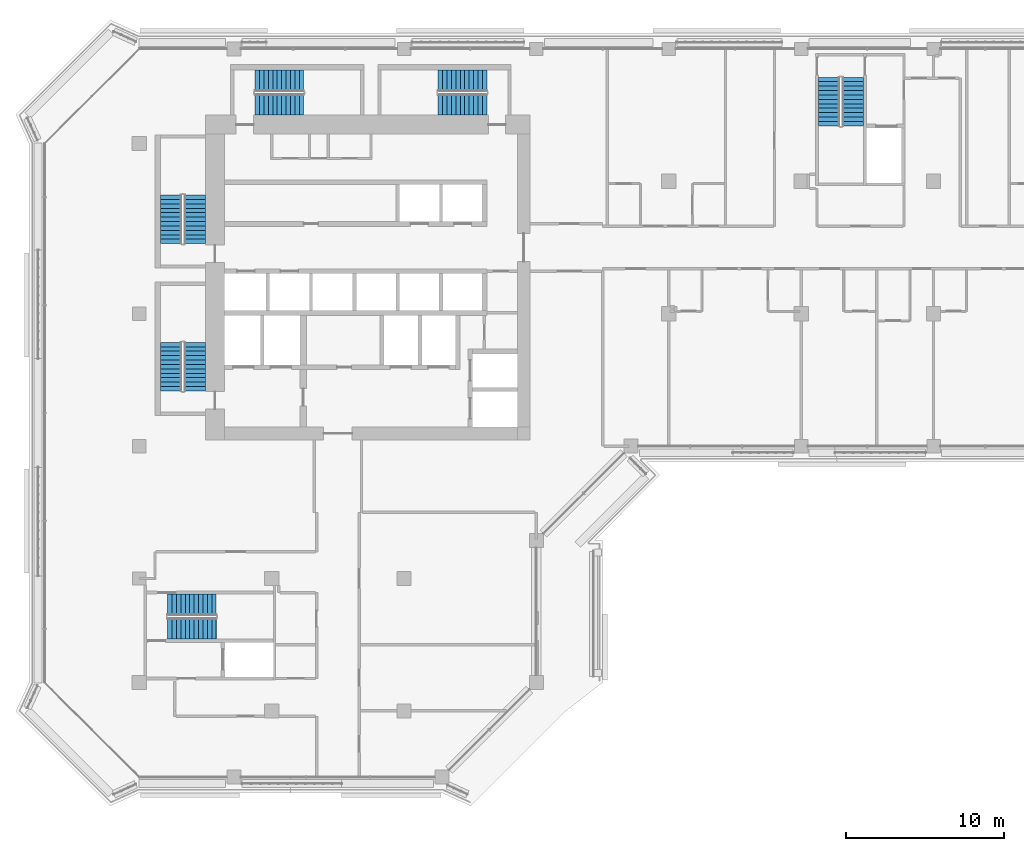
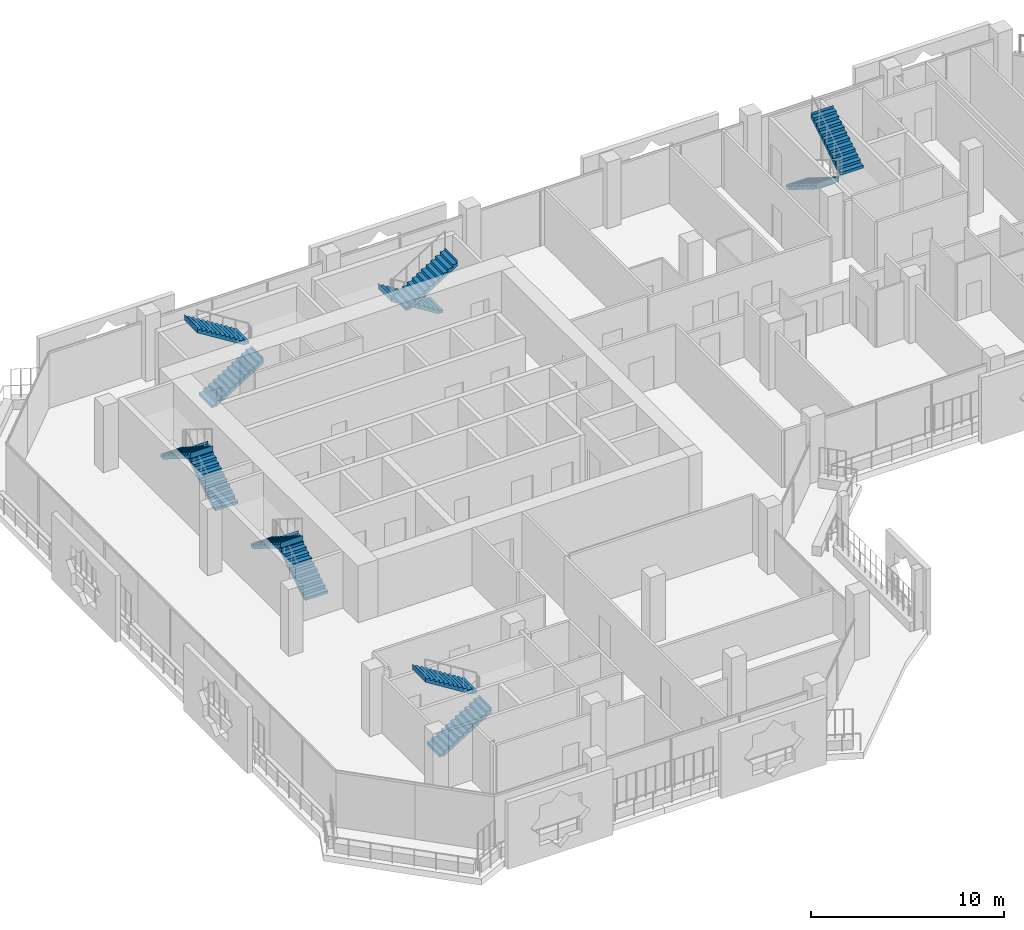
# One storey, part 15 of 23: 12 stair flights, 6 elements without a shape of their own.
"""IFC4 building model written with IfcOpenShell, lengths in metres."""

from ifc_helpers import new_model, si_unit, direction, frame, origin, place, context, subcontext, project, spatial, polyline, outline, extrude, material, type_object, element, aggregate, save


model = new_model("IFC4")

# Units and contexts
model_context = context("Model", 3, precision=1e-05, world=origin(), true_north=direction((0.0, 1.0)))
body_context = subcontext(model_context, "Body", "Model", "MODEL_VIEW")
ifc_project = project(units=[si_unit("LENGTHUNIT", "METRE"), si_unit("AREAUNIT", "SQUARE_METRE"), si_unit("VOLUMEUNIT", "CUBIC_METRE"), si_unit("PLANEANGLEUNIT", "RADIAN"), si_unit("MASSUNIT", "GRAM", prefix="KILO")], contexts=[model_context])

# Site, building, storey
site_placement = place(None, origin())
site = spatial("IfcSite", under=ifc_project, at=site_placement, CompositionType="ELEMENT")
building_placement = place(site_placement, origin())
building = spatial("IfcBuilding", under=site, at=building_placement, Name="Kawkab Arch Medical Tower", CompositionType="ELEMENT")
storey_placement = place(building_placement, frame((0.0, 0.0, 247.39990234375)))
storey = spatial("IfcBuildingStorey", under=building, at=storey_placement, Name="L57", CompositionType="ELEMENT", Elevation=247.39990234375)

# Stair, stair flights
ifc_material_1 = material(Name="Concrete C40/50", Category="concrete")
stair_type = type_object("IfcStairType", Name="Exit stair 1350", PredefinedType="HALF_TURN_STAIR", material=ifc_material_1)
placement = place(storey_placement, origin())
stair_1 = element("IfcStair", 1, at=placement, inside=storey, type_object=stair_type, Name="L57 Exit stair ST1", PredefinedType="HALF_TURN_STAIR")
ifc_material_2 = material(Name="Concrete C40/50", Category="concrete")
stair_flight_type = type_object("IfcStairFlightType", Name="Exit stair flight 1350", PredefinedType="STRAIGHT", material=ifc_material_2)
stair_flight_1_placement = place(storey_placement, frame((3.52490234375, -12.35009765625, 0.0), z_axis=(0.0, 0.0, 1.0), x_axis=(0.0, 1.0, 0.0)))
stair_flight_1 = element("IfcStairFlight", 2, at=stair_flight_1_placement, type_object=stair_flight_type, Name="ST1 flight 1", NumberOfRisers=12, NumberOfTreads=11, PredefinedType="STRAIGHT", RiserHeight=0.175, TreadLength=0.28, context=body_context, shape_type="SweptSolid", body=[
    extrude(outline(polyline([(-0.0029296875, 0.0), (-0.0029296875, 0.175048828125), (0.0, 0.175048828125), (0.280029296875, 0.175048828125), (0.280029296875, 0.35009765625), (0.56005859375, 0.35009765625), (0.56005859375, 0.52490234375), (0.840087890625, 0.52490234375), (0.840087890625, 0.699951171875), (1.1201171875, 0.699951171875), (1.1201171875, 0.875), (1.39990234375, 0.875), (1.39990234375, 1.050048828125), (1.679931640625, 1.050048828125), (1.679931640625, 1.22509765625), (1.9599609375, 1.22509765625), (1.9599609375, 1.39990234375), (2.239990234375, 1.39990234375), (2.239990234375, 1.574951171875), (2.52001953125, 1.574951171875), (2.52001953125, 1.75), (2.800048828125, 1.75), (2.800048828125, 1.925048828125), (3.080078125, 1.925048828125), (3.080078125, 2.10009765625), (3.0830078125, 2.10009765625), (3.0830078125, 1.748291015625), (3.080078125, 1.748291015625), (0.28271484375, 0.0), (-0.0029296875, 0.0)])), frame((0.0, 0.675048828125, 0.0), z_axis=(0.0, -1.0, 0.0), x_axis=(1.0, 0.0, 0.0)), (0.0, 0.0, 1.0), 1.35009765625),
])
stair_flight_2_placement = place(storey_placement, frame((2.02490234375, -9.27001953125, 2.10009765625), z_axis=(0.0, 0.0, 1.0), x_axis=(0.0, -1.0, 0.0)))
stair_flight_2 = element("IfcStairFlight", 3, at=stair_flight_2_placement, type_object=stair_flight_type, Name="ST1 flight 2", NumberOfRisers=12, NumberOfTreads=11, PredefinedType="STRAIGHT", RiserHeight=0.175, TreadLength=0.28, context=body_context, shape_type="SweptSolid", body=[
    extrude(outline(polyline([(-0.0029296875, 0.0), (-0.0029296875, 0.175048828125), (0.0, 0.175048828125), (0.280029296875, 0.175048828125), (0.280029296875, 0.35009765625), (0.56005859375, 0.35009765625), (0.56005859375, 0.52490234375), (0.840087890625, 0.52490234375), (0.840087890625, 0.699951171875), (1.1201171875, 0.699951171875), (1.1201171875, 0.875), (1.39990234375, 0.875), (1.39990234375, 1.050048828125), (1.679931640625, 1.050048828125), (1.679931640625, 1.22509765625), (1.9599609375, 1.22509765625), (1.9599609375, 1.39990234375), (2.239990234375, 1.39990234375), (2.239990234375, 1.574951171875), (2.52001953125, 1.574951171875), (2.52001953125, 1.75), (2.800048828125, 1.75), (2.800048828125, 1.925048828125), (3.080078125, 1.925048828125), (3.080078125, 2.10009765625), (3.0830078125, 2.10009765625), (3.0830078125, 1.748291015625), (3.080078125, 1.748291015625), (0.28271484375, 0.0), (-0.0029296875, 0.0)])), frame((0.0, 0.675048828125, 0.0), z_axis=(0.0, -1.0, 0.0), x_axis=(1.0, 0.0, 0.0)), (0.0, 0.0, 1.0), 1.35009765625),
])
aggregate(stair_1, [stair_flight_1, stair_flight_2])

stair_2 = element("IfcStair", 4, at=placement, inside=storey, type_object=stair_type, Name="L57 Exit stair ST2", PredefinedType="HALF_TURN_STAIR")
stair_flight_3_placement = place(storey_placement, frame((3.52490234375, -21.699951171875, 0.0), z_axis=(0.0, 0.0, 1.0), x_axis=(0.0, 1.0, 0.0)))
stair_flight_3 = element("IfcStairFlight", 5, at=stair_flight_3_placement, type_object=stair_flight_type, Name="ST2 flight 1", NumberOfRisers=12, NumberOfTreads=11, PredefinedType="STRAIGHT", RiserHeight=0.175, TreadLength=0.28, context=body_context, shape_type="SweptSolid", body=[
    extrude(outline(polyline([(-0.0029296875, 0.0), (-0.0029296875, 0.175048828125), (0.0, 0.175048828125), (0.280029296875, 0.175048828125), (0.280029296875, 0.35009765625), (0.56005859375, 0.35009765625), (0.56005859375, 0.52490234375), (0.840087890625, 0.52490234375), (0.840087890625, 0.699951171875), (1.1201171875, 0.699951171875), (1.1201171875, 0.875), (1.39990234375, 0.875), (1.39990234375, 1.050048828125), (1.679931640625, 1.050048828125), (1.679931640625, 1.22509765625), (1.9599609375, 1.22509765625), (1.9599609375, 1.39990234375), (2.239990234375, 1.39990234375), (2.239990234375, 1.574951171875), (2.52001953125, 1.574951171875), (2.52001953125, 1.75), (2.800048828125, 1.75), (2.800048828125, 1.925048828125), (3.080078125, 1.925048828125), (3.080078125, 2.10009765625), (3.0830078125, 2.10009765625), (3.0830078125, 1.748291015625), (3.080078125, 1.748291015625), (0.28271484375, 0.0), (-0.0029296875, 0.0)])), frame((0.0, 0.675048828125, 0.0), z_axis=(0.0, -1.0, 0.0), x_axis=(1.0, 0.0, 0.0)), (0.0, 0.0, 1.0), 1.35009765625),
])
stair_flight_4_placement = place(storey_placement, frame((2.02490234375, -18.6201171875, 2.10009765625), z_axis=(0.0, 0.0, 1.0), x_axis=(0.0, -1.0, 0.0)))
stair_flight_4 = element("IfcStairFlight", 6, at=stair_flight_4_placement, type_object=stair_flight_type, Name="ST2 flight 2", NumberOfRisers=12, NumberOfTreads=11, PredefinedType="STRAIGHT", RiserHeight=0.175, TreadLength=0.28, context=body_context, shape_type="SweptSolid", body=[
    extrude(outline(polyline([(-0.0029296875, 0.0), (-0.0029296875, 0.175048828125), (0.0, 0.175048828125), (0.280029296875, 0.175048828125), (0.280029296875, 0.35009765625), (0.56005859375, 0.35009765625), (0.56005859375, 0.52490234375), (0.840087890625, 0.52490234375), (0.840087890625, 0.699951171875), (1.1201171875, 0.699951171875), (1.1201171875, 0.875), (1.39990234375, 0.875), (1.39990234375, 1.050048828125), (1.679931640625, 1.050048828125), (1.679931640625, 1.22509765625), (1.9599609375, 1.22509765625), (1.9599609375, 1.39990234375), (2.239990234375, 1.39990234375), (2.239990234375, 1.574951171875), (2.52001953125, 1.574951171875), (2.52001953125, 1.75), (2.800048828125, 1.75), (2.800048828125, 1.925048828125), (3.080078125, 1.925048828125), (3.080078125, 2.10009765625), (3.0830078125, 2.10009765625), (3.0830078125, 1.748291015625), (3.080078125, 1.748291015625), (0.28271484375, 0.0), (-0.0029296875, 0.0)])), frame((0.0, 0.675048828125, 0.0), z_axis=(0.0, -1.0, 0.0), x_axis=(1.0, 0.0, 0.0)), (0.0, 0.0, 1.0), 1.35009765625),
])
aggregate(stair_2, [stair_flight_3, stair_flight_4])

stair_3 = element("IfcStair", 7, at=placement, inside=storey, type_object=stair_type, Name="L57 Exit stair ST3", PredefinedType="HALF_TURN_STAIR")
stair_flight_5_placement = place(storey_placement, frame((7.35009765625, -3.52490234375, 0.0), z_axis=(0.0, 0.0, 1.0), x_axis=(1.0, 0.0, 0.0)))
stair_flight_5 = element("IfcStairFlight", 8, at=stair_flight_5_placement, type_object=stair_flight_type, Name="ST3 flight 1", NumberOfRisers=12, NumberOfTreads=11, PredefinedType="STRAIGHT", RiserHeight=0.175, TreadLength=0.28, context=body_context, shape_type="SweptSolid", body=[
    extrude(outline(polyline([(-0.0029296875, 0.0), (-0.0029296875, 0.175048828125), (0.0, 0.175048828125), (0.280029296875, 0.175048828125), (0.280029296875, 0.35009765625), (0.56005859375, 0.35009765625), (0.56005859375, 0.52490234375), (0.840087890625, 0.52490234375), (0.840087890625, 0.699951171875), (1.1201171875, 0.699951171875), (1.1201171875, 0.875), (1.39990234375, 0.875), (1.39990234375, 1.050048828125), (1.679931640625, 1.050048828125), (1.679931640625, 1.22509765625), (1.9599609375, 1.22509765625), (1.9599609375, 1.39990234375), (2.239990234375, 1.39990234375), (2.239990234375, 1.574951171875), (2.52001953125, 1.574951171875), (2.52001953125, 1.75), (2.800048828125, 1.75), (2.800048828125, 1.925048828125), (3.080078125, 1.925048828125), (3.080078125, 2.10009765625), (3.0830078125, 2.10009765625), (3.0830078125, 1.748291015625), (3.080078125, 1.748291015625), (0.28271484375, 0.0), (-0.0029296875, 0.0)])), frame((0.0, 0.675048828125, 0.0), z_axis=(0.0, -1.0, 0.0), x_axis=(1.0, 0.0, 0.0)), (0.0, 0.0, 1.0), 1.35009765625),
])
stair_flight_6_placement = place(storey_placement, frame((10.429931640625, -2.02490234375, 2.10009765625), z_axis=(0.0, 0.0, 1.0), x_axis=(-1.0, 0.0, 0.0)))
stair_flight_6 = element("IfcStairFlight", 9, at=stair_flight_6_placement, type_object=stair_flight_type, Name="ST3 flight 2", NumberOfRisers=12, NumberOfTreads=11, PredefinedType="STRAIGHT", RiserHeight=0.175, TreadLength=0.28, context=body_context, shape_type="SweptSolid", body=[
    extrude(outline(polyline([(-0.0029296875, 0.0), (-0.0029296875, 0.175048828125), (0.0, 0.175048828125), (0.280029296875, 0.175048828125), (0.280029296875, 0.35009765625), (0.56005859375, 0.35009765625), (0.56005859375, 0.52490234375), (0.840087890625, 0.52490234375), (0.840087890625, 0.699951171875), (1.1201171875, 0.699951171875), (1.1201171875, 0.875), (1.39990234375, 0.875), (1.39990234375, 1.050048828125), (1.679931640625, 1.050048828125), (1.679931640625, 1.22509765625), (1.9599609375, 1.22509765625), (1.9599609375, 1.39990234375), (2.239990234375, 1.39990234375), (2.239990234375, 1.574951171875), (2.52001953125, 1.574951171875), (2.52001953125, 1.75), (2.800048828125, 1.75), (2.800048828125, 1.925048828125), (3.080078125, 1.925048828125), (3.080078125, 2.10009765625), (3.0830078125, 2.10009765625), (3.0830078125, 1.748291015625), (3.080078125, 1.748291015625), (0.28271484375, 0.0), (-0.0029296875, 0.0)])), frame((0.0, 0.675048828125, 0.0), z_axis=(0.0, -1.0, 0.0), x_axis=(1.0, 0.0, 0.0)), (0.0, 0.0, 1.0), 1.35009765625),
])
aggregate(stair_3, [stair_flight_5, stair_flight_6])

stair_4 = element("IfcStair", 10, at=placement, inside=storey, type_object=stair_type, Name="L57 Exit stair ST4", PredefinedType="HALF_TURN_STAIR")
stair_flight_7_placement = place(storey_placement, frame((22.050048828125, -2.02490234375, 0.0), z_axis=(0.0, 0.0, 1.0), x_axis=(-1.0, 0.0, 0.0)))
stair_flight_7 = element("IfcStairFlight", 11, at=stair_flight_7_placement, type_object=stair_flight_type, Name="ST4 flight 1", NumberOfRisers=12, NumberOfTreads=11, PredefinedType="STRAIGHT", RiserHeight=0.175, TreadLength=0.28, context=body_context, shape_type="SweptSolid", body=[
    extrude(outline(polyline([(-0.0029296875, 0.0), (-0.0029296875, 0.175048828125), (0.0, 0.175048828125), (0.280029296875, 0.175048828125), (0.280029296875, 0.35009765625), (0.56005859375, 0.35009765625), (0.56005859375, 0.52490234375), (0.840087890625, 0.52490234375), (0.840087890625, 0.699951171875), (1.1201171875, 0.699951171875), (1.1201171875, 0.875), (1.39990234375, 0.875), (1.39990234375, 1.050048828125), (1.679931640625, 1.050048828125), (1.679931640625, 1.22509765625), (1.9599609375, 1.22509765625), (1.9599609375, 1.39990234375), (2.239990234375, 1.39990234375), (2.239990234375, 1.574951171875), (2.52001953125, 1.574951171875), (2.52001953125, 1.75), (2.800048828125, 1.75), (2.800048828125, 1.925048828125), (3.080078125, 1.925048828125), (3.080078125, 2.10009765625), (3.0830078125, 2.10009765625), (3.0830078125, 1.748291015625), (3.080078125, 1.748291015625), (0.28271484375, 0.0), (-0.0029296875, 0.0)])), frame((0.0, 0.675048828125, 0.0), z_axis=(0.0, -1.0, 0.0), x_axis=(1.0, 0.0, 0.0)), (0.0, 0.0, 1.0), 1.35009765625),
])
stair_flight_8_placement = place(storey_placement, frame((18.969970703125, -3.52490234375, 2.10009765625), z_axis=(0.0, 0.0, 1.0), x_axis=(1.0, 0.0, 0.0)))
stair_flight_8 = element("IfcStairFlight", 12, at=stair_flight_8_placement, type_object=stair_flight_type, Name="ST4 flight 2", NumberOfRisers=12, NumberOfTreads=11, PredefinedType="STRAIGHT", RiserHeight=0.175, TreadLength=0.28, context=body_context, shape_type="SweptSolid", body=[
    extrude(outline(polyline([(-0.0029296875, 0.0), (-0.0029296875, 0.175048828125), (0.0, 0.175048828125), (0.280029296875, 0.175048828125), (0.280029296875, 0.35009765625), (0.56005859375, 0.35009765625), (0.56005859375, 0.52490234375), (0.840087890625, 0.52490234375), (0.840087890625, 0.699951171875), (1.1201171875, 0.699951171875), (1.1201171875, 0.875), (1.39990234375, 0.875), (1.39990234375, 1.050048828125), (1.679931640625, 1.050048828125), (1.679931640625, 1.22509765625), (1.9599609375, 1.22509765625), (1.9599609375, 1.39990234375), (2.239990234375, 1.39990234375), (2.239990234375, 1.574951171875), (2.52001953125, 1.574951171875), (2.52001953125, 1.75), (2.800048828125, 1.75), (2.800048828125, 1.925048828125), (3.080078125, 1.925048828125), (3.080078125, 2.10009765625), (3.0830078125, 2.10009765625), (3.0830078125, 1.748291015625), (3.080078125, 1.748291015625), (0.28271484375, 0.0), (-0.0029296875, 0.0)])), frame((0.0, 0.675048828125, 0.0), z_axis=(0.0, -1.0, 0.0), x_axis=(1.0, 0.0, 0.0)), (0.0, 0.0, 1.0), 1.35009765625),
])
aggregate(stair_4, [stair_flight_7, stair_flight_8])

stair_5 = element("IfcStair", 13, at=placement, inside=storey, type_object=stair_type, Name="L57 Exit stair ST5", PredefinedType="HALF_TURN_STAIR")
stair_flight_9_placement = place(storey_placement, frame((43.77490234375, -1.800048828125, 0.0), z_axis=(0.0, 0.0, 1.0), x_axis=(0.0, -1.0, 0.0)))
stair_flight_9 = element("IfcStairFlight", 14, at=stair_flight_9_placement, type_object=stair_flight_type, Name="ST5 flight 1", NumberOfRisers=12, NumberOfTreads=11, PredefinedType="STRAIGHT", RiserHeight=0.175, TreadLength=0.28, context=body_context, shape_type="SweptSolid", body=[
    extrude(outline(polyline([(-0.0029296875, 0.0), (-0.0029296875, 0.175048828125), (0.0, 0.175048828125), (0.280029296875, 0.175048828125), (0.280029296875, 0.35009765625), (0.56005859375, 0.35009765625), (0.56005859375, 0.52490234375), (0.840087890625, 0.52490234375), (0.840087890625, 0.699951171875), (1.1201171875, 0.699951171875), (1.1201171875, 0.875), (1.39990234375, 0.875), (1.39990234375, 1.050048828125), (1.679931640625, 1.050048828125), (1.679931640625, 1.22509765625), (1.9599609375, 1.22509765625), (1.9599609375, 1.39990234375), (2.239990234375, 1.39990234375), (2.239990234375, 1.574951171875), (2.52001953125, 1.574951171875), (2.52001953125, 1.75), (2.800048828125, 1.75), (2.800048828125, 1.925048828125), (3.080078125, 1.925048828125), (3.080078125, 2.10009765625), (3.0830078125, 2.10009765625), (3.0830078125, 1.748291015625), (3.080078125, 1.748291015625), (0.28271484375, 0.0), (-0.0029296875, 0.0)])), frame((0.0, 0.675048828125, 0.0), z_axis=(0.0, -1.0, 0.0), x_axis=(1.0, 0.0, 0.0)), (0.0, 0.0, 1.0), 1.35009765625),
])
stair_flight_10_placement = place(storey_placement, frame((45.27490234375, -4.8798828125, 2.10009765625), z_axis=(0.0, 0.0, 1.0), x_axis=(0.0, 1.0, 0.0)))
stair_flight_10 = element("IfcStairFlight", 15, at=stair_flight_10_placement, type_object=stair_flight_type, Name="ST5 flight 2", NumberOfRisers=12, NumberOfTreads=11, PredefinedType="STRAIGHT", RiserHeight=0.175, TreadLength=0.28, context=body_context, shape_type="SweptSolid", body=[
    extrude(outline(polyline([(-0.0029296875, 0.0), (-0.0029296875, 0.175048828125), (0.0, 0.175048828125), (0.280029296875, 0.175048828125), (0.280029296875, 0.35009765625), (0.56005859375, 0.35009765625), (0.56005859375, 0.52490234375), (0.840087890625, 0.52490234375), (0.840087890625, 0.699951171875), (1.1201171875, 0.699951171875), (1.1201171875, 0.875), (1.39990234375, 0.875), (1.39990234375, 1.050048828125), (1.679931640625, 1.050048828125), (1.679931640625, 1.22509765625), (1.9599609375, 1.22509765625), (1.9599609375, 1.39990234375), (2.239990234375, 1.39990234375), (2.239990234375, 1.574951171875), (2.52001953125, 1.574951171875), (2.52001953125, 1.75), (2.800048828125, 1.75), (2.800048828125, 1.925048828125), (3.080078125, 1.925048828125), (3.080078125, 2.10009765625), (3.0830078125, 2.10009765625), (3.0830078125, 1.748291015625), (3.080078125, 1.748291015625), (0.28271484375, 0.0), (-0.0029296875, 0.0)])), frame((0.0, 0.675048828125, 0.0), z_axis=(0.0, -1.0, 0.0), x_axis=(1.0, 0.0, 0.0)), (0.0, 0.0, 1.0), 1.35009765625),
])
aggregate(stair_5, [stair_flight_9, stair_flight_10])

stair_6 = element("IfcStair", 16, at=placement, inside=storey, type_object=stair_type, Name="L57 Exit stair ST6", PredefinedType="HALF_TURN_STAIR")
stair_flight_11_placement = place(storey_placement, frame((1.800048828125, -36.77490234375, 0.0), z_axis=(0.0, 0.0, 1.0), x_axis=(1.0, 0.0, 0.0)))
stair_flight_11 = element("IfcStairFlight", 17, at=stair_flight_11_placement, type_object=stair_flight_type, Name="ST6 flight 1", NumberOfRisers=12, NumberOfTreads=11, PredefinedType="STRAIGHT", RiserHeight=0.175, TreadLength=0.28, context=body_context, shape_type="SweptSolid", body=[
    extrude(outline(polyline([(-0.0029296875, 0.0), (-0.0029296875, 0.175048828125), (0.0, 0.175048828125), (0.280029296875, 0.175048828125), (0.280029296875, 0.35009765625), (0.56005859375, 0.35009765625), (0.56005859375, 0.52490234375), (0.840087890625, 0.52490234375), (0.840087890625, 0.699951171875), (1.1201171875, 0.699951171875), (1.1201171875, 0.875), (1.39990234375, 0.875), (1.39990234375, 1.050048828125), (1.679931640625, 1.050048828125), (1.679931640625, 1.22509765625), (1.9599609375, 1.22509765625), (1.9599609375, 1.39990234375), (2.239990234375, 1.39990234375), (2.239990234375, 1.574951171875), (2.52001953125, 1.574951171875), (2.52001953125, 1.75), (2.800048828125, 1.75), (2.800048828125, 1.925048828125), (3.080078125, 1.925048828125), (3.080078125, 2.10009765625), (3.0830078125, 2.10009765625), (3.0830078125, 1.748291015625), (3.080078125, 1.748291015625), (0.28271484375, 0.0), (-0.0029296875, 0.0)])), frame((0.0, 0.675048828125, 0.0), z_axis=(0.0, -1.0, 0.0), x_axis=(1.0, 0.0, 0.0)), (0.0, 0.0, 1.0), 1.35009765625),
])
stair_flight_12_placement = place(storey_placement, frame((4.8798828125, -35.27490234375, 2.10009765625), z_axis=(0.0, 0.0, 1.0), x_axis=(-1.0, 0.0, 0.0)))
stair_flight_12 = element("IfcStairFlight", 18, at=stair_flight_12_placement, type_object=stair_flight_type, Name="ST6 flight 2", NumberOfRisers=12, NumberOfTreads=11, PredefinedType="STRAIGHT", RiserHeight=0.175, TreadLength=0.28, context=body_context, shape_type="SweptSolid", body=[
    extrude(outline(polyline([(-0.0029296875, 0.0), (-0.0029296875, 0.175048828125), (0.0, 0.175048828125), (0.280029296875, 0.175048828125), (0.280029296875, 0.35009765625), (0.56005859375, 0.35009765625), (0.56005859375, 0.52490234375), (0.840087890625, 0.52490234375), (0.840087890625, 0.699951171875), (1.1201171875, 0.699951171875), (1.1201171875, 0.875), (1.39990234375, 0.875), (1.39990234375, 1.050048828125), (1.679931640625, 1.050048828125), (1.679931640625, 1.22509765625), (1.9599609375, 1.22509765625), (1.9599609375, 1.39990234375), (2.239990234375, 1.39990234375), (2.239990234375, 1.574951171875), (2.52001953125, 1.574951171875), (2.52001953125, 1.75), (2.800048828125, 1.75), (2.800048828125, 1.925048828125), (3.080078125, 1.925048828125), (3.080078125, 2.10009765625), (3.0830078125, 2.10009765625), (3.0830078125, 1.748291015625), (3.080078125, 1.748291015625), (0.28271484375, 0.0), (-0.0029296875, 0.0)])), frame((0.0, 0.675048828125, 0.0), z_axis=(0.0, -1.0, 0.0), x_axis=(1.0, 0.0, 0.0)), (0.0, 0.0, 1.0), 1.35009765625),
])
aggregate(stair_6, [stair_flight_11, stair_flight_12])

save(model, "model.ifc")
